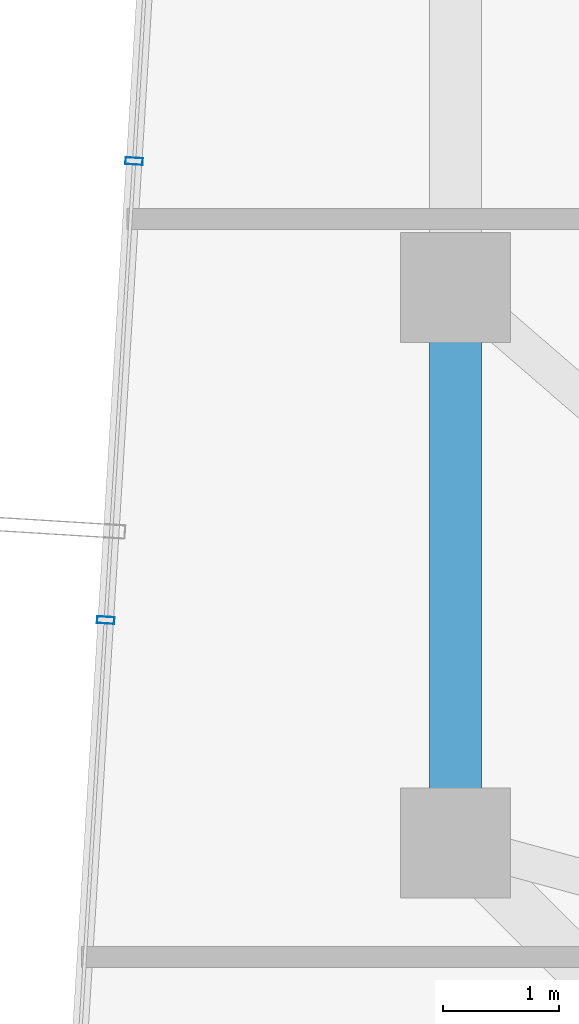
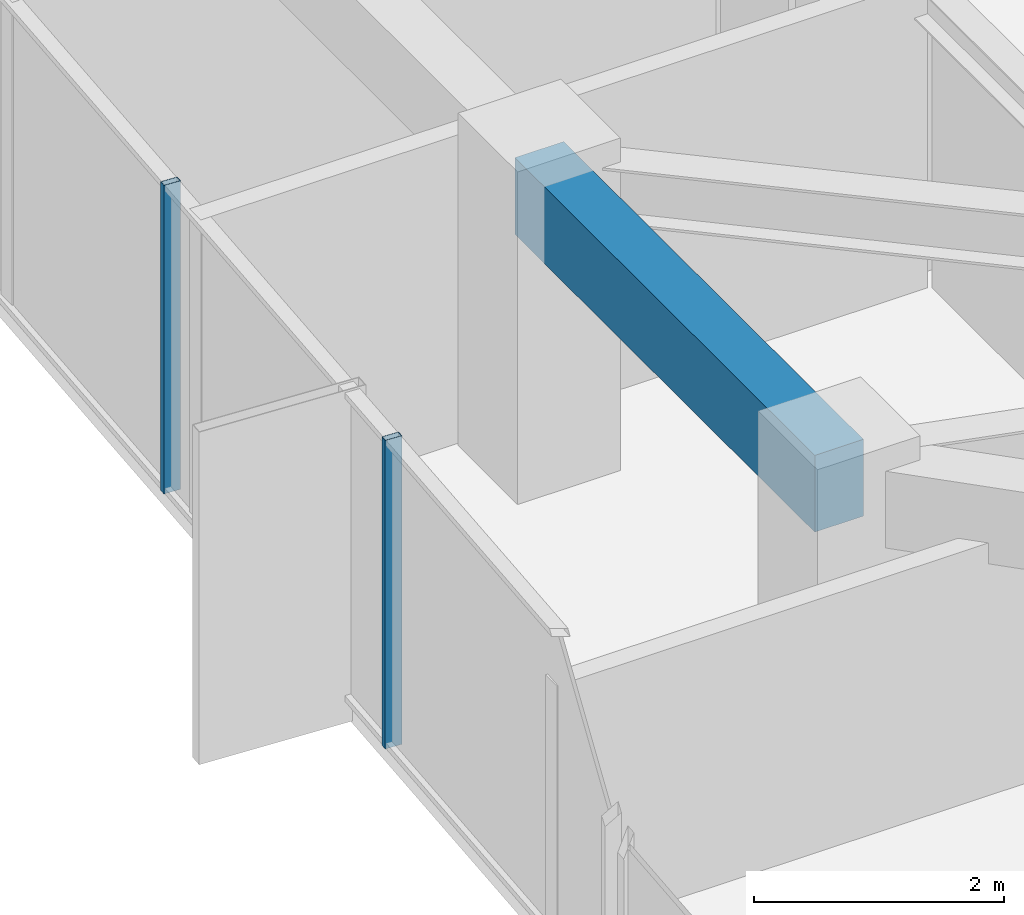
# One storey, part 10 of 29: 2 members, 1 beam, 1 element without a shape of its own.
"""IFC4 building model written with IfcOpenShell, lengths in metres."""

from ifc_helpers import new_model, si_unit, direction, frame, origin, origin_2d, place, context, subcontext, project, spatial, rectangle, hollow_rectangle, extrude, source, transform, mapped, material, layer, layer_set, material_profile, profile_set, type_object, element, aggregate, save


model = new_model("IFC4")

# Units and contexts
model_context = context("Model", 3, precision=1e-05, world=origin(), true_north=direction((0.0, 1.0)))
body_context = subcontext(model_context, "Body", "Model", "MODEL_VIEW")
ifc_project = project(units=[si_unit("LENGTHUNIT", "METRE"), si_unit("AREAUNIT", "SQUARE_METRE"), si_unit("VOLUMEUNIT", "CUBIC_METRE"), si_unit("PLANEANGLEUNIT", "RADIAN"), si_unit("MASSUNIT", "GRAM", prefix="KILO")], contexts=[model_context])

# Site, building, storey
site_placement = place(None, origin())
site = spatial("IfcSite", under=ifc_project, at=site_placement, CompositionType="ELEMENT")
building_placement = place(site_placement, origin())
building = spatial("IfcBuilding", under=site, at=building_placement, Name="Veraguas Prism Commons", CompositionType="ELEMENT")
storey_placement = place(building_placement, frame((0.0, 0.0, 218.89990234375)))
storey = spatial("IfcBuildingStorey", under=building, at=storey_placement, Name="L62", CompositionType="ELEMENT", Elevation=218.89990234375)

# Beam
ifc_material_1 = material(Name="Concrete C50/60", Category="concrete")
ifc_material_profile_1 = material_profile(ifc_material_1, rectangle(XDim=0.449951171875, YDim=0.75, at=origin_2d()), Name="RC450X750")
ifc_profile_set_1 = profile_set([ifc_material_profile_1], Name="Concrete C50/60")
beam_type = type_object("IfcBeamType", Name="Perimeter Spandrel Upper RC 450x750", PredefinedType="SPANDREL", material=ifc_profile_set_1)
beam_placement = place(storey_placement, frame((9.10009765625, 24.0, 2.64013671875), z_axis=(0.0, -1.0, 0.0), x_axis=(1.0, 0.0, 0.0)))
element("IfcBeam", 1, at=beam_placement, inside=storey, type_object=beam_type, Name="Perimeter Spandrel Beam L62-SP08", PredefinedType="SPANDREL", context=body_context, shape_type="SweptSolid", body=[
    extrude(rectangle(XDim=0.449951171875, YDim=0.75, at=origin_2d()), origin(), (0.0, 0.0, 1.0), 4.800048828125),
])

# Curtain wall, members
ifc_material_2 = material(Name="Anodised aluminium EN AW-6063 T6", Category="aluminium")
ifc_layer = layer(ifc_material_2, 0.14990234375, Name="Unitised Flush Curtain Wall Zone 3", Category="aluminium")
ifc_layer_set = layer_set([ifc_layer], Name="Anodised aluminium EN AW-6063 T6")
curtain_wall_type = type_object("IfcCurtainWallType", Name="Unitised Flush Curtain Wall Zone 3", PredefinedType="NOTDEFINED", material=ifc_layer_set)
curtain_wall_placement = place(storey_placement, origin())
curtain_wall = element("IfcCurtainWall", 2, at=curtain_wall_placement, inside=storey, type_object=curtain_wall_type, Name="Tower Facade Curtain Wall L62-F3", PredefinedType="NOTDEFINED")
ifc_material_profile_2 = material_profile(ifc_material_2, hollow_rectangle(XDim=0.06005859375, YDim=0.14990234375, WallThickness=0.0029296875, at=origin_2d()), Name="AL60X150X3")
ifc_profile_set_2 = profile_set([ifc_material_profile_2], Name="Anodised aluminium EN AW-6063 T6")
member_type = type_object("IfcMemberType", Name="Curtain Wall Mullion Upper AL 60x150x3", PredefinedType="MULLION", material=ifc_profile_set_2)
shared_shape = source(origin(), body_context, "Body", "SweptSolid", [
    extrude(hollow_rectangle(XDim=0.06005859375, YDim=0.14990234375, WallThickness=0.0029296875, at=origin_2d()), origin(), (0.0, 0.0, 1.0), 3.01513671875),
])
member_1_placement = place(storey_placement, frame((6.323486328125, 25.093505859375, 0.0), z_axis=(0.0, 0.0, 1.0), x_axis=(-0.061745354146, -0.998091935265, 0.0)))
member_1 = element("IfcMember", 3, at=member_1_placement, type_object=member_type, Name="CW-Z3 Mullion 3", PredefinedType="MULLION", context=body_context, shape_type="MappedRepresentation", body=[
    mapped(shared_shape, transform((0.0, 0.0, 0.0), scale=1.0)),
])
member_2_placement = place(storey_placement, frame((6.078125, 21.12548828125, 0.0), z_axis=(0.0, 0.0, 1.0), x_axis=(-0.061745354146, -0.998091935265, 0.0)))
member_2 = element("IfcMember", 4, at=member_2_placement, type_object=member_type, Name="CW-Z3 Mullion 4", PredefinedType="MULLION", context=body_context, shape_type="MappedRepresentation", body=[
    mapped(shared_shape, transform((0.0, 0.0, 0.0), scale=1.0)),
])
aggregate(curtain_wall, [member_1, member_2])

save(model, "model.ifc")
